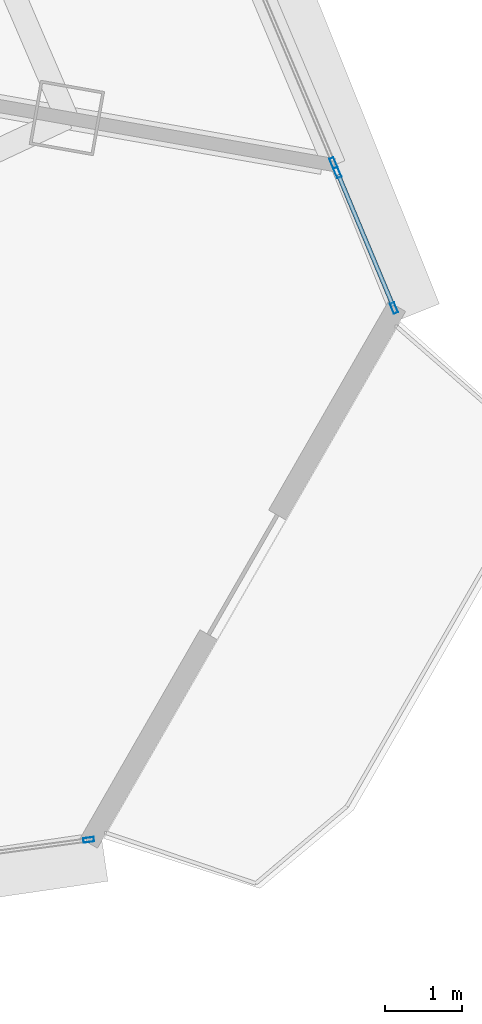
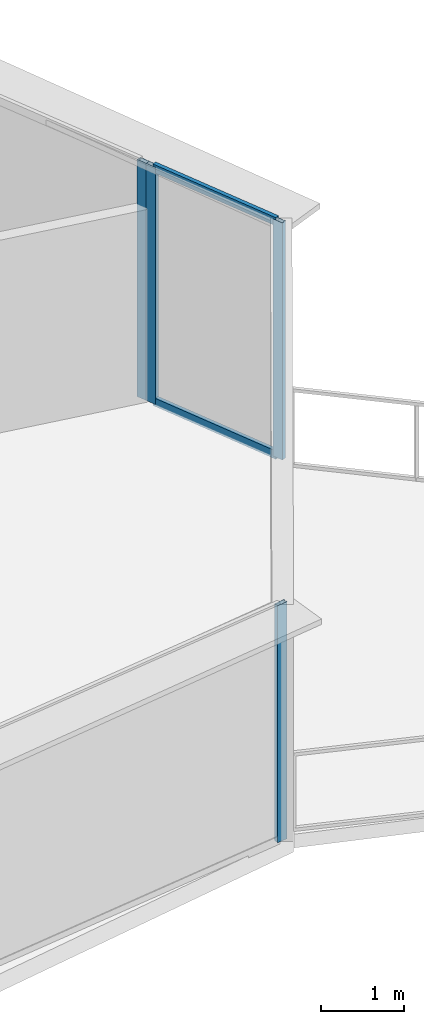
# One storey, part 21 of 34: 6 members, 3 elements without a shape of their own.
"""IFC4 building model written with IfcOpenShell, lengths in metres."""

from ifc_helpers import new_model, si_unit, direction, frame, origin, origin_2d, place, context, subcontext, project, spatial, hollow_rectangle, extrude, source, transform, mapped, material, layer, layer_set, material_profile, profile_set, type_object, element, aggregate, save


model = new_model("IFC4")

# Units and contexts
model_context = context("Model", 3, precision=1e-05, world=origin(), true_north=direction((0.0, 1.0)))
body_context = subcontext(model_context, "Body", "Model", "MODEL_VIEW")
ifc_project = project(units=[si_unit("LENGTHUNIT", "METRE"), si_unit("AREAUNIT", "SQUARE_METRE"), si_unit("VOLUMEUNIT", "CUBIC_METRE"), si_unit("PLANEANGLEUNIT", "RADIAN"), si_unit("MASSUNIT", "GRAM", prefix="KILO"), si_unit("THERMODYNAMICTEMPERATUREUNIT", "KELVIN"), si_unit("POWERUNIT", "WATT")], contexts=[model_context])

# Site, building, storey
site_placement = place(None, origin())
site = spatial("IfcSite", under=ifc_project, at=site_placement, CompositionType="ELEMENT")
building_placement = place(site_placement, origin())
building = spatial("IfcBuilding", under=site, at=building_placement, Name="Yunzhuo Pagoda Commons", CompositionType="ELEMENT")
storey_placement = place(building_placement, frame((0.0, 0.0, 229.610107421875)))
storey = spatial("IfcBuildingStorey", under=building, at=storey_placement, Name="L57", CompositionType="ELEMENT", Elevation=229.610107421875)

# Curtain wall, member
ifc_material = material(Name="Anodized aluminium 6063-T6", Category="aluminium")
ifc_layer = layer(ifc_material, 0.139892578125)
ifc_layer_set = layer_set([ifc_layer], Name="Anodized aluminium 6063-T6")
curtain_wall_type = type_object("IfcCurtainWallType", Name="CW-HI High-Zone Ribbon Curtain Wall", PredefinedType="NOTDEFINED", material=ifc_layer_set)
curtain_wall_1_placement = place(storey_placement, origin())
curtain_wall_1 = element("IfcCurtainWall", 1, at=curtain_wall_1_placement, inside=storey, type_object=curtain_wall_type, Name="L57 curtain wall CW-L57-F1B5", PredefinedType="NOTDEFINED")
ifc_material_profile_1 = material_profile(ifc_material, hollow_rectangle(XDim=0.06005859375, YDim=0.139892578125, WallThickness=0.00341796875, at=origin_2d()), Name="Anodized aluminium 6063-T6")
ifc_profile_set_1 = profile_set([ifc_material_profile_1], Name="Anodized aluminium 6063-T6")
member_type_1 = type_object("IfcMemberType", Name="CW-HI-M Mullion RHS 140x60x3.5", PredefinedType="MULLION", material=ifc_profile_set_1)
shared_shape_1 = source(origin(), body_context, "Body", "SweptSolid", [
    extrude(hollow_rectangle(XDim=0.06005859375, YDim=0.139892578125, WallThickness=0.00341796875, at=origin_2d()), origin(), (0.0, 0.0, 1.0), 3.469970703125),
])
member_1_placement = place(storey_placement, frame((80.2177734375, 18.6513671875, 0.0), z_axis=(0.0, 0.0, 1.0), x_axis=(-0.133929585963, 0.990990850616, 0.0)))
member_1 = element("IfcMember", 2, at=member_1_placement, type_object=member_type_1, Name="CW mullion 2", PredefinedType="MULLION", context=body_context, shape_type="MappedRepresentation", body=[
    mapped(shared_shape_1, transform((0.0, 0.0, 0.0), scale=1.0)),
])
aggregate(curtain_wall_1, [member_1])

curtain_wall_2_placement = place(storey_placement, origin())
curtain_wall_2 = element("IfcCurtainWall", 3, at=curtain_wall_2_placement, inside=storey, type_object=curtain_wall_type, Name="L57 curtain wall CW-L57-F2B2", PredefinedType="NOTDEFINED")
member_2_placement = place(storey_placement, frame((83.410888671875, 27.48193359375, 0.0), z_axis=(0.0, 0.0, 1.0), x_axis=(-0.92158893956, -0.388167266112, 0.0)))
member_2 = element("IfcMember", 4, at=member_2_placement, type_object=member_type_1, Name="CW mullion 1", PredefinedType="MULLION", context=body_context, shape_type="MappedRepresentation", body=[
    mapped(shared_shape_1, transform((0.0, 0.0, 0.0), scale=1.0)),
])
aggregate(curtain_wall_2, [member_2])

# Curtain wall, members
curtain_wall_3_placement = place(storey_placement, origin())
curtain_wall_3 = element("IfcCurtainWall", 5, at=curtain_wall_3_placement, inside=storey, type_object=curtain_wall_type, Name="L57 curtain wall CW-L57-F2B1", PredefinedType="NOTDEFINED")
member_3_placement = place(storey_placement, frame((84.201171875, 25.589599609375, 0.0), z_axis=(0.0, 0.0, 1.0), x_axis=(-0.922772675165, -0.385344767667, 0.0)))
member_3 = element("IfcMember", 6, at=member_3_placement, type_object=member_type_1, Name="CW mullion 1", PredefinedType="MULLION", context=body_context, shape_type="MappedRepresentation", body=[
    mapped(shared_shape_1, transform((0.0, 0.0, 0.0), scale=1.0)),
])
member_4_placement = place(storey_placement, frame((83.462890625, 27.357177734375, 0.0), z_axis=(0.0, 0.0, 1.0), x_axis=(-0.922772675165, -0.385344767667, 0.0)))
member_4 = element("IfcMember", 7, at=member_4_placement, type_object=member_type_1, Name="CW mullion 2", PredefinedType="MULLION", context=body_context, shape_type="MappedRepresentation", body=[
    mapped(shared_shape_1, transform((0.0, 0.0, 0.0), scale=1.0)),
])
ifc_material_profile_2 = material_profile(ifc_material, hollow_rectangle(XDim=0.054931640625, YDim=0.1201171875, WallThickness=0.00341796875, at=origin_2d()), Name="Anodized aluminium 6063-T6")
ifc_profile_set_2 = profile_set([ifc_material_profile_2], Name="Anodized aluminium 6063-T6")
member_type_2 = type_object("IfcMemberType", Name="CW-HI-T Transom RHS 120x55x3.5", PredefinedType="USERDEFINED", material=ifc_profile_set_2)
shared_shape_2 = source(origin(), body_context, "Body", "SweptSolid", [
    extrude(hollow_rectangle(XDim=0.054931640625, YDim=0.1201171875, WallThickness=0.00341796875, at=origin_2d()), origin(), (0.0, 0.0, 1.0), 1.85595703125),
])
member_5_placement = place(storey_placement, frame((84.189697265625, 25.616943359375, 0.02734375), z_axis=(-0.385297137482, 0.922792563823, 0.0), x_axis=(-0.922792563823, -0.385297137482, 0.0)))
member_5 = element("IfcMember", 8, at=member_5_placement, type_object=member_type_2, Name="CW transom 1.1", ObjectType="TRANSOM", PredefinedType="USERDEFINED", context=body_context, shape_type="MappedRepresentation", body=[
    mapped(shared_shape_2, transform((0.0, 0.0, 0.0), scale=1.0)),
])
member_6_placement = place(storey_placement, frame((84.189697265625, 25.616943359375, 3.4423828125), z_axis=(-0.385297137482, 0.922792563823, 0.0), x_axis=(-0.922792563823, -0.385297137482, 0.0)))
member_6 = element("IfcMember", 9, at=member_6_placement, type_object=member_type_2, Name="CW transom 1.2", ObjectType="TRANSOM", PredefinedType="USERDEFINED", context=body_context, shape_type="MappedRepresentation", body=[
    mapped(shared_shape_2, transform((0.0, 0.0, 0.0), scale=1.0)),
])
aggregate(curtain_wall_3, [member_3, member_4, member_5, member_6])

save(model, "model.ifc")
